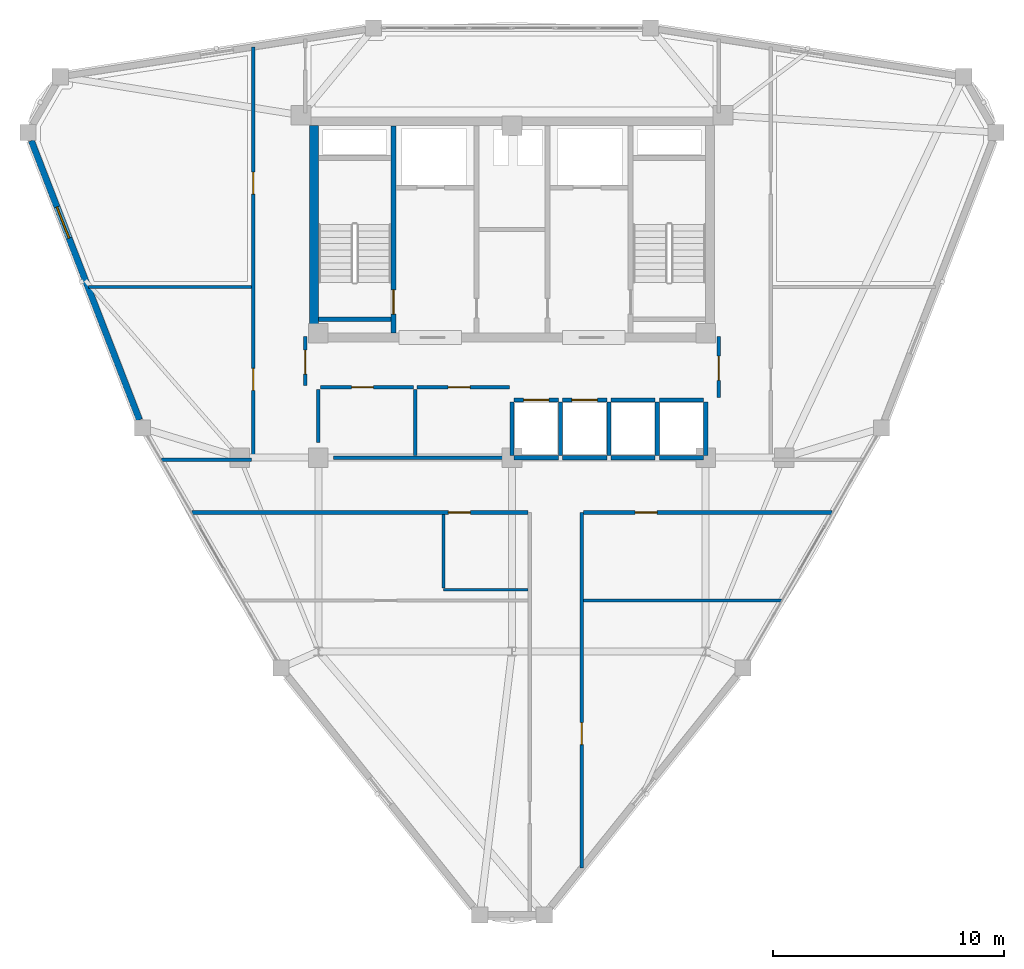
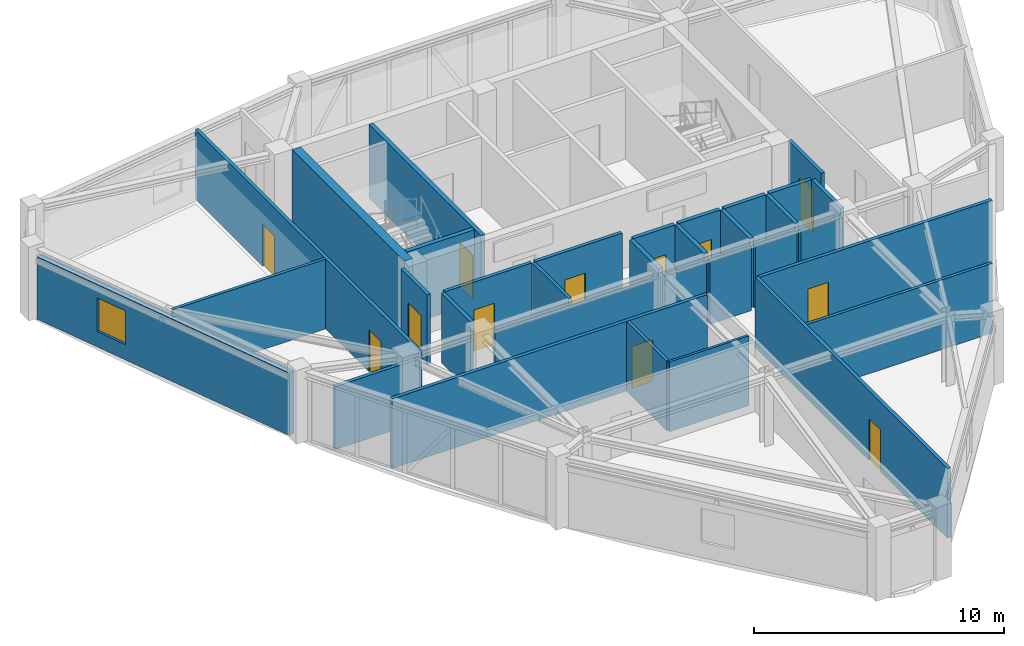
# One storey, part 11 of 15: 33 walls, 12 doors, 1 window, 13 openings.
"""IFC4 building model written with IfcOpenShell, lengths in metres."""

import ifcopenshell
import ifcopenshell.guid

model = None  # the IFC model being written
_history = None  # IfcOwnerHistory: only IFC2X3 demands one
_inside = {}  # id of a spatial element -> (the spatial element, [elements in it])
_under = {}  # id of a project, library or spatial element -> (it, [spatial elements below it])
_declared = {}  # id of a project -> (the project, [libraries it declares])
_typed = {}  # id of a type object -> (the type object, [elements of that type])
_made_of = {}  # id of a material, layer set ... -> (it, [elements and type objects made of it])


def new_model(schema):
    """Start an empty IFC model of exactly this schema.

    Asked for "IFC4X3", IfcOpenShell would pick the latest addendum, in which some entities
    have other attributes; the version numbers below select the first issue.
    IFC2X3 requires an IfcOwnerHistory on every rooted entity: one is made here for all.
    """
    global model, _history
    if schema == "IFC4X3":
        model = ifcopenshell.file(schema_version=(4, 3, 0, 0))
    else:
        model = ifcopenshell.file(schema=schema)
    _inside.clear()
    _under.clear()
    _declared.clear()
    _typed.clear()
    _made_of.clear()
    _history = None
    if model.schema == "IFC2X3":
        org = make("IfcOrganization", Name="unknown")
        user = make(
            "IfcPersonAndOrganization",
            ThePerson=make("IfcPerson", FamilyName="unknown"),
            TheOrganization=org,
        )
        app = make(
            "IfcApplication",
            ApplicationDeveloper=org,
            Version="unknown",
            ApplicationFullName="unknown",
            ApplicationIdentifier="unknown",
        )
        _history = make(
            "IfcOwnerHistory",
            OwningUser=user,
            OwningApplication=app,
            ChangeAction="ADDED",
            CreationDate=0,
        )
    return model


def make(cls, **values):
    """One entity of the class cls with the attributes given. An attribute that is None is left unset."""
    return model.create_entity(
        cls, **{name: value for name, value in values.items() if value is not None}
    )


def rooted(cls, **values):
    """An entity with a GlobalId (a new one), such as an element, a storey or a relation."""
    return make(cls, GlobalId=ifcopenshell.guid.new(), OwnerHistory=_history, **values)


def si_unit(unit_type, name, prefix=None):
    """IfcSIUnit, for example si_unit("LENGTHUNIT", "METRE", prefix="MILLI")."""
    return make("IfcSIUnit", UnitType=unit_type, Prefix=prefix, Name=name)


def derived_unit(unit_type, elements):
    """IfcDerivedUnit: a product of units, each with its exponent."""
    return make(
        "IfcDerivedUnit",
        Elements=[
            make("IfcDerivedUnitElement", Unit=unit, Exponent=power)
            for unit, power in elements
        ],
        UnitType=unit_type,
    )


def assignment(units):
    """IfcUnitAssignment: the units of a project."""
    return None if units is None else make("IfcUnitAssignment", Units=units)


def point(xyz):
    """IfcCartesianPoint."""
    return None if xyz is None else make("IfcCartesianPoint", Coordinates=xyz)


def direction(xyz):
    """IfcDirection."""
    return None if xyz is None else make("IfcDirection", DirectionRatios=xyz)


def frame(location, z_axis=None, x_axis=None):
    """IfcAxis2Placement3D, a coordinate frame: its origin and axes. An axis left out is left unset."""
    return make(
        "IfcAxis2Placement3D",
        Location=point(location),
        Axis=direction(z_axis),
        RefDirection=direction(x_axis),
    )


def frame_2d(location, x_axis=None):
    """IfcAxis2Placement2D, a coordinate frame in the plane: its origin and x axis."""
    return make(
        "IfcAxis2Placement2D", Location=point(location), RefDirection=direction(x_axis)
    )


def origin():
    """The frame at (0, 0, 0) with its axes left unset."""
    return frame((0.0, 0.0, 0.0))


def place(relative_to, where):
    """IfcLocalPlacement: puts the frame where relative to a parent placement (None: the world)."""
    return make(
        "IfcLocalPlacement", PlacementRelTo=relative_to, RelativePlacement=where
    )


def context(
    kind, dimensions, precision=None, world=None, true_north=None, identifier=None
):
    """IfcGeometricRepresentationContext, for example the 3D "Model" context."""
    return make(
        "IfcGeometricRepresentationContext",
        ContextIdentifier=identifier,
        ContextType=kind,
        CoordinateSpaceDimension=dimensions,
        Precision=precision,
        WorldCoordinateSystem=world,
        TrueNorth=true_north,
    )


def subcontext(parent, identifier, kind, view, scale=None):
    """IfcGeometricRepresentationSubContext, for example "Body" below "Model"."""
    return make(
        "IfcGeometricRepresentationSubContext",
        ContextIdentifier=identifier,
        ContextType=kind,
        ParentContext=parent,
        TargetScale=scale,
        TargetView=view,
    )


def project(units=None, contexts=None):
    """IfcProject with its units and contexts."""
    return rooted(
        "IfcProject",
        Name="project",
        RepresentationContexts=contexts,
        UnitsInContext=assignment(units),
    )


def spatial(cls, under=None, at=None, **own):
    """A site, building, storey or space (cls), placed at a placement, below another one or the project."""
    s = rooted(cls, ObjectPlacement=at, **own)
    if under is not None:
        _under.setdefault(under.id(), (under, []))[1].append(s)
    return s


def profile(cls, at=None, kind="AREA", **sizes):
    """A parametric profile (cls). Its sizes go by their IFC names, for example OverallWidth=200.0."""
    return make(cls, ProfileType=kind, Position=at, **sizes)


def rectangle(**sizes):
    """IfcRectangleProfileDef."""
    return profile("IfcRectangleProfileDef", **sizes)


def extrude(swept, where, along, depth):
    """IfcExtrudedAreaSolid: the profile swept, set in the frame where, extruded along a direction by depth."""
    return make(
        "IfcExtrudedAreaSolid",
        SweptArea=swept,
        Position=where,
        ExtrudedDirection=direction(along),
        Depth=depth,
    )


def shape(context_of_items, identifier, shape_type, items):
    """IfcShapeRepresentation: the items that make up one representation, for example the "Body"."""
    return make(
        "IfcShapeRepresentation",
        ContextOfItems=context_of_items,
        RepresentationIdentifier=identifier,
        RepresentationType=shape_type,
        Items=items,
    )


def material(Name=None, Category=None):
    """IfcMaterial."""
    return make("IfcMaterial", Name=Name, Category=Category)


def layer(
    of_material, thickness, ventilated=None, Name=None, Category=None, Priority=None
):
    """IfcMaterialLayer: one layer of a wall or slab, of a material (None: an air gap)."""
    return make(
        "IfcMaterialLayer",
        Material=of_material,
        LayerThickness=thickness,
        IsVentilated=ventilated,
        Name=Name,
        Category=Category,
        Priority=Priority,
    )


def layer_set(layers, Name=None):
    """IfcMaterialLayerSet."""
    return make("IfcMaterialLayerSet", MaterialLayers=layers, LayerSetName=Name)


def made_of(thing, what):
    """Note that an element or type object is made of a material, layer set ...; save() writes the relation."""
    if what is not None:
        _made_of.setdefault(what.id(), (what, []))[1].append(thing)
    return thing


def type_object(cls, material=None, **own):
    """A type object (cls), such as IfcWallType, which elements share."""
    return made_of(rooted(cls, **own), material)


def element(
    cls,
    number,
    at=None,
    inside=None,
    cuts=None,
    type_object=None,
    material=None,
    context=None,
    identifier="Body",
    shape_type=None,
    held_by="IfcProductDefinitionShape",
    body=None,
    shapes=None,
    **own,
):
    """One element of the class cls, such as IfcWall. Its Tag is "e" and its number.

    at: its placement. inside: the storey or other place that contains it. cuts: it is an
    opening in that element (IfcRelVoidsElement). A single representation is given by context,
    identifier, shape_type and body (its items); several are given by shapes. held_by: the class
    of the entity that holds the representations. save() writes the other relations.
    """
    e = rooted(cls, Tag="e%d" % number, ObjectPlacement=at, **own)
    if body is not None:
        shapes = [shape(context, identifier, shape_type, body)]
    if shapes is not None:
        e.Representation = make(held_by, Representations=shapes)
    if inside is not None:
        _inside.setdefault(inside.id(), (inside, []))[1].append(e)
    if cuts is not None:
        rooted(
            "IfcRelVoidsElement", RelatingBuildingElement=cuts, RelatedOpeningElement=e
        )
    if type_object is not None:
        _typed.setdefault(type_object.id(), (type_object, []))[1].append(e)
    return made_of(e, material)


def fill(opening, filler):
    """IfcRelFillsElement: the door or window that sits in an opening."""
    return rooted(
        "IfcRelFillsElement",
        RelatingOpeningElement=opening,
        RelatedBuildingElement=filler,
    )


def aggregate(whole, parts):
    """IfcRelAggregates: a whole, such as a stair, and the parts it consists of."""
    return rooted("IfcRelAggregates", RelatingObject=whole, RelatedObjects=parts)


def save(model, path):
    """Write the relations noted so far, then the file.

    IfcRelAggregates (storeys below a building ...), IfcRelContainedInSpatialStructure (elements
    in a storey), IfcRelDefinesByType, IfcRelAssociatesMaterial and IfcRelDeclares: one each for
    every whole, place, type object, material and project.
    """
    for whole, parts in _under.values():
        aggregate(whole, parts)
    for where, things in _inside.values():
        rooted(
            "IfcRelContainedInSpatialStructure",
            RelatedElements=things,
            RelatingStructure=where,
        )
    for kind, things in _typed.values():
        rooted("IfcRelDefinesByType", RelatedObjects=things, RelatingType=kind)
    for what, things in _made_of.values():
        rooted("IfcRelAssociatesMaterial", RelatedObjects=things, RelatingMaterial=what)
    for by, libraries in _declared.values():
        rooted("IfcRelDeclares", RelatingContext=by, RelatedDefinitions=libraries)
    model.write(path)


model = new_model("IFC4")

# Units and contexts
model_context = context("Model", 3, precision=1e-05, world=origin(), true_north=direction((0.0, 1.0)))
body_context = subcontext(model_context, "Body", "Model", "MODEL_VIEW")
ifc_project = project(units=[si_unit("LENGTHUNIT", "METRE"), si_unit("AREAUNIT", "SQUARE_METRE"), si_unit("VOLUMEUNIT", "CUBIC_METRE"), si_unit("PLANEANGLEUNIT", "RADIAN"), si_unit("MASSUNIT", "GRAM", prefix="KILO"), derived_unit("THERMALTRANSMITTANCEUNIT", [(si_unit("POWERUNIT", "WATT"), 1), (si_unit("LENGTHUNIT", "METRE"), -2), (si_unit("THERMODYNAMICTEMPERATUREUNIT", "KELVIN"), -1)])], contexts=[model_context])

# Site, building, storey
site_placement = place(None, origin())
site = spatial("IfcSite", under=ifc_project, at=site_placement, CompositionType="ELEMENT")
building_placement = place(site_placement, origin())
building = spatial("IfcBuilding", under=site, at=building_placement, Name="Korsvarv Bourse and Concert Hall", CompositionType="ELEMENT")
storey_placement = place(building_placement, frame((0.0, 0.0, 246.60009765625)))
storey = spatial("IfcBuildingStorey", under=building, at=storey_placement, Name="L64", CompositionType="ELEMENT", Elevation=246.60009765625)

# Wall
ifc_material_1 = material(Name="Concrete C50/60", Category="concrete")
ifc_layer_1 = layer(ifc_material_1, 0.3798828125)
ifc_layer_set_1 = layer_set([ifc_layer_1], Name="Concrete C50/60")
wall_type_1 = type_object("IfcWallType", Name="WL-CORE-380", PredefinedType="SHEAR", material=ifc_layer_set_1)
wall_1_placement = place(storey_placement, frame((27.409912109375, 37.800048828125, 0.0), z_axis=(0.0, 0.0, 1.0), x_axis=(0.0, 1.0, 0.0)))
element("IfcWall", 1, at=wall_1_placement, inside=storey, type_object=wall_type_1, Name="L64 West Core Shear Wall", PredefinedType="SHEAR", context=body_context, shape_type="SweptSolid", body=[
    extrude(rectangle(XDim=9.0, YDim=0.3798828125, at=frame_2d((4.5, 0.0))), origin(), (0.0, 0.0, 1.0), 3.599853515625),
])

# Wall, opening, door
wall_2_placement = place(storey_placement, frame((30.860107421875, 37.81005859375, 0.0), z_axis=(0.0, 0.0, 1.0), x_axis=(0.0, 1.0, 0.0)))
wall_2 = element("IfcWall", 2, at=wall_2_placement, inside=storey, type_object=wall_type_1, Name="L64 stair shaft structural wall W-L64-ST1-E", PredefinedType="SHEAR", context=body_context, shape_type="SweptSolid", body=[
    extrude(rectangle(XDim=8.97998046875, YDim=0.199951171875, at=frame_2d((4.489990234375, 0.0))), origin(), (0.0, 0.0, 1.0), 3.599853515625),
])
opening_1_placement = place(wall_2_placement, frame((0.820068359375, 0.0, 0.0)))
opening_1 = element("IfcOpeningElement", 3, at=opening_1_placement, cuts=wall_2, Name="Opening D-01", PredefinedType="OPENING", context=body_context, shape_type="SweptSolid", body=[
    extrude(rectangle(XDim=1.050048828125, YDim=2.10009765625, at=frame_2d((0.52490234375, 1.050048828125))), frame((0.0, 0.10986328125, 0.0), z_axis=(0.0, -1.0, 0.0), x_axis=(1.0, 0.0, 0.0)), (0.0, 0.0, 1.0), 0.219970703125),
])
ifc_material_2 = material(Name="Steel S355 fire door", Category="steel")
door_type_1 = type_object("IfcDoorType", Name="DR-FD60", OperationType="NOTDEFINED", PredefinedType="DOOR", material=ifc_material_2)
door_1_placement = place(opening_1_placement, origin())
door_1 = element("IfcDoor", 4, at=door_1_placement, inside=storey, type_object=door_type_1, Name="L64 interior door DR-L64-ST1", OperationType="SINGLE_SWING_RIGHT", OverallHeight=2.10009765625, OverallWidth=1.050048828125, PredefinedType="DOOR", context=body_context, shape_type="SweptSolid", body=[
    extrude(rectangle(XDim=1.050048828125, YDim=2.10009765625, at=frame_2d((0.52490234375, 1.050048828125))), frame((0.0, 0.02490234375, 0.0), z_axis=(0.0, -1.0, 0.0), x_axis=(1.0, 0.0, 0.0)), (0.0, 0.0, 1.0), 0.050048828125),
])
fill(opening_1, door_1)

# Wall
wall_3_placement = place(storey_placement, frame((27.610107421875, 38.39990234375, 0.0), z_axis=(0.0, 0.0, 1.0), x_axis=(1.0, 0.0, 0.0)))
element("IfcWall", 5, at=wall_3_placement, inside=storey, type_object=wall_type_1, Name="L64 stair shaft structural wall W-L64-ST1-S", PredefinedType="SHEAR", context=body_context, shape_type="SweptSolid", body=[
    extrude(rectangle(XDim=3.139892578125, YDim=0.199951171875, at=frame_2d((1.56982421875, 0.0))), origin(), (0.0, 0.0, 1.0), 3.599853515625),
])

# Wall, opening, window
ifc_material_3 = material(Name="Precast concrete C45/55 with fluted terracotta pier", Category="concrete")
ifc_layer_2 = layer(ifc_material_3, 0.280029296875)
ifc_layer_set_2 = layer_set([ifc_layer_2], Name="Precast concrete C45/55 with fluted terracotta pier")
wall_type_2 = type_object("IfcWallType", Name="WL-EXT-TC2", PredefinedType="SOLIDWALL", material=ifc_layer_set_2)
wall_4_placement = place(storey_placement, frame((15.149658203125, 46.148681640625, 0.0), z_axis=(0.0, 0.0, 1.0), x_axis=(0.361269378379, -0.93246149317, 0.0)))
wall_4 = element("IfcWall", 6, at=wall_4_placement, inside=storey, type_object=wall_type_2, Name="L64 terracotta exterior wall EW-L64-B06", PredefinedType="SOLIDWALL", context=body_context, shape_type="SweptSolid", body=[
    extrude(rectangle(XDim=12.9873046875, YDim=0.280029296875, at=frame_2d((6.49365234375, 0.0))), origin(), (0.0, 0.0, 1.0), 3.0498046875),
])
opening_2_placement = place(wall_4_placement, frame((3.084228515625, 0.0, 0.75)))
opening_2 = element("IfcOpeningElement", 7, at=opening_2_placement, cuts=wall_4, Name="Opening W-02", PredefinedType="OPENING", context=body_context, shape_type="SweptSolid", body=[
    extrude(rectangle(XDim=1.449951171875, YDim=1.64990234375, at=frame_2d((0.72509765625, 0.824951171875))), frame((0.0, 0.14990234375, 0.0), z_axis=(0.0, -1.0, 0.0), x_axis=(1.0, 0.0, 0.0)), (0.0, 0.0, 1.0), 0.300048828125),
])
ifc_material_4 = material(Name="Thermally broken aluminium frame with triple low-E glass", Category="glass")
window_type = type_object("IfcWindowType", Name="WIN-TW2", PartitioningType="SINGLE_PANEL", PredefinedType="WINDOW", material=ifc_material_4)
window_placement = place(opening_2_placement, origin())
window = element("IfcWindow", 8, at=window_placement, inside=storey, type_object=window_type, Name="L64 punched facade window W-02", OverallHeight=1.64990234375, OverallWidth=1.449951171875, PartitioningType="SINGLE_PANEL", PredefinedType="WINDOW", context=body_context, shape_type="SweptSolid", body=[
    extrude(rectangle(XDim=1.449951171875, YDim=1.64990234375, at=frame_2d((0.72509765625, 0.824951171875))), frame((0.0, 0.030029296875, 0.0), z_axis=(0.0, -1.0, 0.0), x_axis=(1.0, 0.0, 0.0)), (0.0, 0.0, 1.0), 0.06005859375),
])
fill(opening_2, window)

# Walls
ifc_material_5 = material(Name="Double-stud fire-rated acoustic partition", Category="gypsum")
ifc_layer_3 = layer(ifc_material_5, 0.159912109375)
ifc_layer_set_3 = layer_set([ifc_layer_3], Name="Double-stud fire-rated acoustic partition")
wall_type_3 = type_object("IfcWallType", Name="WL-INT-EI60", PredefinedType="PARTITIONING", material=ifc_layer_set_3)
wall_5_placement = place(storey_placement, frame((28.25, 32.39990234375, 0.0), z_axis=(0.0, 0.0, 1.0), x_axis=(1.0, 0.0, 0.0)))
element("IfcWall", 9, at=wall_5_placement, inside=storey, type_object=wall_type_3, Name="L64 interior partition wall W-L64-FRD-S", PredefinedType="PARTITIONING", context=body_context, shape_type="SweptSolid", body=[
    extrude(rectangle(XDim=7.64990234375, YDim=0.159912109375, at=frame_2d((3.824951171875, 0.0))), origin(), (0.0, 0.0, 1.0), 3.079833984375),
])
wall_6_placement = place(storey_placement, frame((27.60009765625, 33.050048828125, 0.0), z_axis=(0.0, 0.0, 1.0), x_axis=(0.0, 1.0, 0.0)))
element("IfcWall", 10, at=wall_6_placement, inside=storey, type_object=wall_type_3, Name="L64 interior partition wall W-L64-FRD-W", PredefinedType="PARTITIONING", context=body_context, shape_type="SweptSolid", body=[
    extrude(rectangle(XDim=2.31005859375, YDim=0.159912109375, at=frame_2d((1.155029296875, 0.0))), origin(), (0.0, 0.0, 1.0), 3.409912109375),
])

# Wall, opening, door
wall_7_placement = place(storey_placement, frame((27.68994140625, 35.449951171875, 0.0), z_axis=(0.0, 0.0, 1.0), x_axis=(1.0, 0.0, 0.0)))
wall_7 = element("IfcWall", 11, at=wall_7_placement, inside=storey, type_object=wall_type_3, Name="L64 interior partition wall W-L64-FRD-N1", PredefinedType="PARTITIONING", context=body_context, shape_type="SweptSolid", body=[
    extrude(rectangle(XDim=4.030029296875, YDim=0.159912109375, at=frame_2d((2.01513671875, 0.0))), origin(), (0.0, 0.0, 1.0), 3.409912109375),
])
opening_3_placement = place(wall_7_placement, frame((1.35009765625, 0.0, 0.0)))
opening_3 = element("IfcOpeningElement", 12, at=opening_3_placement, cuts=wall_7, Name="Opening D-03", PredefinedType="OPENING", context=body_context, shape_type="SweptSolid", body=[
    extrude(rectangle(XDim=0.949951171875, YDim=2.050048828125, at=frame_2d((0.47509765625, 1.02490234375))), frame((0.0, 0.08984375, 0.0), z_axis=(0.0, -1.0, 0.0), x_axis=(1.0, 0.0, 0.0)), (0.0, 0.0, 1.0), 0.179931640625),
])
ifc_material_6 = material(Name="Nordic oak acoustic office door", Category="wood")
door_type_2 = type_object("IfcDoorType", Name="DR-INT-1", OperationType="NOTDEFINED", PredefinedType="DOOR", material=ifc_material_6)
door_2_placement = place(opening_3_placement, origin())
door_2 = element("IfcDoor", 13, at=door_2_placement, inside=storey, type_object=door_type_2, Name="L64 interior door DR-L64-FRDN1", OperationType="SINGLE_SWING_RIGHT", OverallHeight=2.050048828125, OverallWidth=0.949951171875, PredefinedType="DOOR", context=body_context, shape_type="SweptSolid", body=[
    extrude(rectangle(XDim=0.949951171875, YDim=2.050048828125, at=frame_2d((0.47509765625, 1.02490234375))), frame((0.0, 0.02490234375, 0.0), z_axis=(0.0, -1.0, 0.0), x_axis=(1.0, 0.0, 0.0)), (0.0, 0.0, 1.0), 0.050048828125),
])
fill(opening_3, door_2)

wall_8_placement = place(storey_placement, frame((31.8798828125, 35.449951171875, 0.0), z_axis=(0.0, 0.0, 1.0), x_axis=(1.0, 0.0, 0.0)))
wall_8 = element("IfcWall", 14, at=wall_8_placement, inside=storey, type_object=wall_type_3, Name="L64 interior partition wall W-L64-FRD-N2", PredefinedType="PARTITIONING", context=body_context, shape_type="SweptSolid", body=[
    extrude(rectangle(XDim=4.02001953125, YDim=0.159912109375, at=frame_2d((2.010009765625, 0.0))), origin(), (0.0, 0.0, 1.0), 3.409912109375),
])
opening_4_placement = place(wall_8_placement, frame((1.35009765625, 0.0, 0.0)))
opening_4 = element("IfcOpeningElement", 15, at=opening_4_placement, cuts=wall_8, Name="Opening D-03", PredefinedType="OPENING", context=body_context, shape_type="SweptSolid", body=[
    extrude(rectangle(XDim=0.949951171875, YDim=2.050048828125, at=frame_2d((0.47509765625, 1.02490234375))), frame((0.0, 0.08984375, 0.0), z_axis=(0.0, -1.0, 0.0), x_axis=(1.0, 0.0, 0.0)), (0.0, 0.0, 1.0), 0.179931640625),
])
door_3_placement = place(opening_4_placement, origin())
door_3 = element("IfcDoor", 16, at=door_3_placement, inside=storey, type_object=door_type_2, Name="L64 interior door DR-L64-FRDN2", OperationType="SINGLE_SWING_LEFT", OverallHeight=2.050048828125, OverallWidth=0.949951171875, PredefinedType="DOOR", context=body_context, shape_type="SweptSolid", body=[
    extrude(rectangle(XDim=0.949951171875, YDim=2.050048828125, at=frame_2d((0.47509765625, 1.02490234375))), frame((0.0, 0.02490234375, 0.0), z_axis=(0.0, -1.0, 0.0), x_axis=(1.0, 0.0, 0.0)), (0.0, 0.0, 1.0), 0.050048828125),
])
fill(opening_4, door_3)

wall_9_placement = place(storey_placement, frame((27.0400390625, 35.5400390625, 0.0), z_axis=(0.0, 0.0, 1.0), x_axis=(0.0, 1.0, 0.0)))
wall_9 = element("IfcWall", 17, at=wall_9_placement, inside=storey, type_object=wall_type_3, Name="L64 interior partition wall W-L64-LOB-WL", PredefinedType="PARTITIONING", context=body_context, shape_type="SweptSolid", body=[
    extrude(rectangle(XDim=2.10986328125, YDim=0.159912109375, at=frame_2d((1.054931640625, 0.0))), origin(), (0.0, 0.0, 1.0), 3.409912109375),
])
opening_5_placement = place(wall_9_placement, frame((0.47998046875, 0.0, 0.0)))
opening_5 = element("IfcOpeningElement", 18, at=opening_5_placement, cuts=wall_9, Name="Opening D-01", PredefinedType="OPENING", context=body_context, shape_type="SweptSolid", body=[
    extrude(rectangle(XDim=1.050048828125, YDim=2.10009765625, at=frame_2d((0.52490234375, 1.050048828125))), frame((0.0, 0.08984375, 0.0), z_axis=(0.0, -1.0, 0.0), x_axis=(1.0, 0.0, 0.0)), (0.0, 0.0, 1.0), 0.179931640625),
])
door_4_placement = place(opening_5_placement, frame((1.050048828125, 0.0, 0.0), z_axis=(0.0, 0.0, 1.0), x_axis=(-1.0, 0.0, 0.0)))
door_4 = element("IfcDoor", 19, at=door_4_placement, inside=storey, type_object=door_type_1, Name="L64 interior door DR-L64-LOBW", OperationType="SINGLE_SWING_RIGHT", OverallHeight=2.10009765625, OverallWidth=1.050048828125, PredefinedType="DOOR", context=body_context, shape_type="SweptSolid", body=[
    extrude(rectangle(XDim=1.050048828125, YDim=2.10009765625, at=frame_2d((0.52490234375, 1.050048828125))), frame((0.0, 0.02490234375, 0.0), z_axis=(0.0, -1.0, 0.0), x_axis=(1.0, 0.0, 0.0)), (0.0, 0.0, 1.0), 0.050048828125),
])
fill(opening_5, door_4)

wall_10_placement = place(storey_placement, frame((44.9599609375, 35.0, 0.0), z_axis=(0.0, 0.0, 1.0), x_axis=(0.0, 1.0, 0.0)))
wall_10 = element("IfcWall", 20, at=wall_10_placement, inside=storey, type_object=wall_type_3, Name="L64 interior partition wall W-L64-LOB-E", PredefinedType="PARTITIONING", context=body_context, shape_type="SweptSolid", body=[
    extrude(rectangle(XDim=2.64990234375, YDim=0.159912109375, at=frame_2d((1.324951171875, 0.0))), origin(), (0.0, 0.0, 1.0), 3.409912109375),
])
opening_6_placement = place(wall_10_placement, frame((0.75, 0.0, 0.0)))
opening_6 = element("IfcOpeningElement", 21, at=opening_6_placement, cuts=wall_10, Name="Opening D-01", PredefinedType="OPENING", context=body_context, shape_type="SweptSolid", body=[
    extrude(rectangle(XDim=1.050048828125, YDim=2.10009765625, at=frame_2d((0.52490234375, 1.050048828125))), frame((0.0, 0.08984375, 0.0), z_axis=(0.0, -1.0, 0.0), x_axis=(1.0, 0.0, 0.0)), (0.0, 0.0, 1.0), 0.179931640625),
])
door_5_placement = place(opening_6_placement, origin())
door_5 = element("IfcDoor", 22, at=door_5_placement, inside=storey, type_object=door_type_1, Name="L64 interior door DR-L64-LOBE", OperationType="SINGLE_SWING_LEFT", OverallHeight=2.10009765625, OverallWidth=1.050048828125, PredefinedType="DOOR", context=body_context, shape_type="SweptSolid", body=[
    extrude(rectangle(XDim=1.050048828125, YDim=2.10009765625, at=frame_2d((0.52490234375, 1.050048828125))), frame((0.0, 0.02490234375, 0.0), z_axis=(0.0, -1.0, 0.0), x_axis=(1.0, 0.0, 0.0)), (0.0, 0.0, 1.0), 0.050048828125),
])
fill(opening_6, door_5)

# Wall, openings, doors
wall_11_placement = place(storey_placement, frame((24.77490234375, 32.31005859375, 0.0), z_axis=(0.0, 0.0, 1.0), x_axis=(0.0, 1.0, 0.0)))
wall_11 = element("IfcWall", 23, at=wall_11_placement, inside=storey, type_object=wall_type_3, Name="L64 interior partition wall W-L64-TCOR-02", PredefinedType="PARTITIONING", context=body_context, shape_type="SweptSolid", body=[
    extrude(rectangle(XDim=17.892333984375, YDim=0.159912109375, at=frame_2d((8.9462890625, 0.0))), origin(), (0.0, 0.0, 1.0), 3.409912109375),
])
opening_7_placement = place(wall_11_placement, frame((3.01416015625, 0.0, 0.0)))
opening_7 = element("IfcOpeningElement", 24, at=opening_7_placement, cuts=wall_11, Name="Opening D-02", PredefinedType="OPENING", context=body_context, shape_type="SweptSolid", body=[
    extrude(rectangle(XDim=0.949951171875, YDim=2.050048828125, at=frame_2d((0.47509765625, 1.02490234375))), frame((0.0, 0.08984375, 0.0), z_axis=(0.0, -1.0, 0.0), x_axis=(1.0, 0.0, 0.0)), (0.0, 0.0, 1.0), 0.179931640625),
])
opening_8_placement = place(wall_11_placement, frame((11.52392578125, 0.0, 0.0)))
opening_8 = element("IfcOpeningElement", 25, at=opening_8_placement, cuts=wall_11, Name="Opening D-02", PredefinedType="OPENING", context=body_context, shape_type="SweptSolid", body=[
    extrude(rectangle(XDim=0.949951171875, YDim=2.050048828125, at=frame_2d((0.47509765625, 1.02490234375))), frame((0.0, 0.08984375, 0.0), z_axis=(0.0, -1.0, 0.0), x_axis=(1.0, 0.0, 0.0)), (0.0, 0.0, 1.0), 0.179931640625),
])
ifc_material_7 = material(Name="Timber and steel acoustic fire door", Category="wood")
door_type_3 = type_object("IfcDoorType", Name="DR-FD30", OperationType="NOTDEFINED", PredefinedType="DOOR", material=ifc_material_7)
door_6_placement = place(opening_7_placement, origin())
door_6 = element("IfcDoor", 26, at=door_6_placement, inside=storey, type_object=door_type_3, Name="L64 interior door DR-L64-TCOR-GB18", OperationType="SINGLE_SWING_RIGHT", OverallHeight=2.050048828125, OverallWidth=0.949951171875, PredefinedType="DOOR", context=body_context, shape_type="SweptSolid", body=[
    extrude(rectangle(XDim=0.949951171875, YDim=2.050048828125, at=frame_2d((0.47509765625, 1.02490234375))), frame((0.0, 0.02490234375, 0.0), z_axis=(0.0, -1.0, 0.0), x_axis=(1.0, 0.0, 0.0)), (0.0, 0.0, 1.0), 0.050048828125),
])
fill(opening_7, door_6)
door_7_placement = place(opening_8_placement, origin())
door_7 = element("IfcDoor", 27, at=door_7_placement, inside=storey, type_object=door_type_3, Name="L64 interior door DR-L64-TCOR-GB29", OperationType="SINGLE_SWING_LEFT", OverallHeight=2.050048828125, OverallWidth=0.949951171875, PredefinedType="DOOR", context=body_context, shape_type="SweptSolid", body=[
    extrude(rectangle(XDim=0.949951171875, YDim=2.050048828125, at=frame_2d((0.47509765625, 1.02490234375))), frame((0.0, 0.02490234375, 0.0), z_axis=(0.0, -1.0, 0.0), x_axis=(1.0, 0.0, 0.0)), (0.0, 0.0, 1.0), 0.050048828125),
])
fill(opening_8, door_7)

# Wall, opening, door
wall_12_placement = place(storey_placement, frame((39.02490234375, 14.614990234375, 0.0), z_axis=(0.0, 0.0, 1.0), x_axis=(0.0, 1.0, 0.0)))
wall_12 = element("IfcWall", 28, at=wall_12_placement, inside=storey, type_object=wall_type_3, Name="L64 interior partition wall W-L64-TCOR-04", PredefinedType="PARTITIONING", context=body_context, shape_type="SweptSolid", body=[
    extrude(rectangle(XDim=15.4150390625, YDim=0.159912109375, at=frame_2d((7.70751953125, 0.0))), origin(), (0.0, 0.0, 1.0), 3.409912109375),
])
opening_9_placement = place(wall_12_placement, frame((5.3408203125, 0.0, 0.0)))
opening_9 = element("IfcOpeningElement", 29, at=opening_9_placement, cuts=wall_12, Name="Opening D-02", PredefinedType="OPENING", context=body_context, shape_type="SweptSolid", body=[
    extrude(rectangle(XDim=0.949951171875, YDim=2.050048828125, at=frame_2d((0.47509765625, 1.02490234375))), frame((0.0, 0.08984375, 0.0), z_axis=(0.0, -1.0, 0.0), x_axis=(1.0, 0.0, 0.0)), (0.0, 0.0, 1.0), 0.179931640625),
])
door_8_placement = place(opening_9_placement, origin())
door_8 = element("IfcDoor", 30, at=door_8_placement, inside=storey, type_object=door_type_3, Name="L64 interior door DR-L64-TCOR-GSE3", OperationType="SINGLE_SWING_LEFT", OverallHeight=2.050048828125, OverallWidth=0.949951171875, PredefinedType="DOOR", context=body_context, shape_type="SweptSolid", body=[
    extrude(rectangle(XDim=0.949951171875, YDim=2.050048828125, at=frame_2d((0.47509765625, 1.02490234375))), frame((0.0, 0.02490234375, 0.0), z_axis=(0.0, -1.0, 0.0), x_axis=(1.0, 0.0, 0.0)), (0.0, 0.0, 1.0), 0.050048828125),
])
fill(opening_9, door_8)

wall_13_placement = place(storey_placement, frame((22.111328125, 30.02490234375, 0.0), z_axis=(0.0, 0.0, 1.0), x_axis=(1.0, 0.0, 0.0)))
wall_13 = element("IfcWall", 31, at=wall_13_placement, inside=storey, type_object=wall_type_3, Name="L64 interior partition wall W-L64-TCOR-05", PredefinedType="PARTITIONING", context=body_context, shape_type="SweptSolid", body=[
    extrude(rectangle(XDim=14.581787109375, YDim=0.159912109375, at=frame_2d((7.291015625, 0.0))), origin(), (0.0, 0.0, 1.0), 3.409912109375),
])
opening_10_placement = place(wall_13_placement, frame((11.128662109375, 0.0, 0.0)))
opening_10 = element("IfcOpeningElement", 32, at=opening_10_placement, cuts=wall_13, Name="Opening D-02", PredefinedType="OPENING", context=body_context, shape_type="SweptSolid", body=[
    extrude(rectangle(XDim=0.949951171875, YDim=2.050048828125, at=frame_2d((0.47509765625, 1.02490234375))), frame((0.0, 0.08984375, 0.0), z_axis=(0.0, -1.0, 0.0), x_axis=(1.0, 0.0, 0.0)), (0.0, 0.0, 1.0), 0.179931640625),
])
door_9_placement = place(opening_10_placement, origin())
door_9 = element("IfcDoor", 33, at=door_9_placement, inside=storey, type_object=door_type_3, Name="L64 interior door DR-L64-TCOR-RWC", OperationType="SINGLE_SWING_RIGHT", OverallHeight=2.050048828125, OverallWidth=0.949951171875, PredefinedType="DOOR", context=body_context, shape_type="SweptSolid", body=[
    extrude(rectangle(XDim=0.949951171875, YDim=2.050048828125, at=frame_2d((0.47509765625, 1.02490234375))), frame((0.0, 0.02490234375, 0.0), z_axis=(0.0, -1.0, 0.0), x_axis=(1.0, 0.0, 0.0)), (0.0, 0.0, 1.0), 0.050048828125),
])
fill(opening_10, door_9)

wall_14_placement = place(storey_placement, frame((39.10693359375, 30.02490234375, 0.0), z_axis=(0.0, 0.0, 1.0), x_axis=(1.0, 0.0, 0.0)))
wall_14 = element("IfcWall", 34, at=wall_14_placement, inside=storey, type_object=wall_type_3, Name="L64 interior partition wall W-L64-TCOR-06", PredefinedType="PARTITIONING", context=body_context, shape_type="SweptSolid", body=[
    extrude(rectangle(XDim=10.78173828125, YDim=0.159912109375, at=frame_2d((5.390869140625, 0.0))), origin(), (0.0, 0.0, 1.0), 3.409912109375),
])
opening_11_placement = place(wall_14_placement, frame((2.23779296875, 0.0, 0.0)))
opening_11 = element("IfcOpeningElement", 35, at=opening_11_placement, cuts=wall_14, Name="Opening D-02", PredefinedType="OPENING", context=body_context, shape_type="SweptSolid", body=[
    extrude(rectangle(XDim=0.949951171875, YDim=2.050048828125, at=frame_2d((0.47509765625, 1.02490234375))), frame((0.0, 0.08984375, 0.0), z_axis=(0.0, -1.0, 0.0), x_axis=(1.0, 0.0, 0.0)), (0.0, 0.0, 1.0), 0.179931640625),
])
door_10_placement = place(opening_11_placement, origin())
door_10 = element("IfcDoor", 36, at=door_10_placement, inside=storey, type_object=door_type_3, Name="L64 interior door DR-L64-TCOR-GDN4", OperationType="SINGLE_SWING_LEFT", OverallHeight=2.050048828125, OverallWidth=0.949951171875, PredefinedType="DOOR", context=body_context, shape_type="SweptSolid", body=[
    extrude(rectangle(XDim=0.949951171875, YDim=2.050048828125, at=frame_2d((0.47509765625, 1.02490234375))), frame((0.0, 0.02490234375, 0.0), z_axis=(0.0, -1.0, 0.0), x_axis=(1.0, 0.0, 0.0)), (0.0, 0.0, 1.0), 0.050048828125),
])
fill(opening_11, door_10)

# Wall
wall_15_placement = place(storey_placement, frame((20.789306640625, 32.31494140625, 0.0), z_axis=(0.0, 0.0, 1.0), x_axis=(1.0, 0.0, 0.0)))
element("IfcWall", 37, at=wall_15_placement, inside=storey, type_object=wall_type_3, Name="L64 interior partition wall W-L64-TCOR-07", PredefinedType="PARTITIONING", context=body_context, shape_type="SweptSolid", body=[
    extrude(rectangle(XDim=3.90380859375, YDim=0.159912109375, at=frame_2d((1.951904296875, 0.0))), origin(), (0.0, 0.0, 1.0), 3.079833984375),
])

# Wall, opening, door
ifc_material_8 = material(Name="Gypsum-clad autoclaved concrete shaft wall C30/37", Category="concrete")
ifc_layer_4 = layer(ifc_material_8, 0.179931640625)
ifc_layer_set_4 = layer_set([ifc_layer_4], Name="Gypsum-clad autoclaved concrete shaft wall C30/37")
wall_type_4 = type_object("IfcWallType", Name="WL-INT-EI90", PredefinedType="PARTITIONING", material=ifc_layer_set_4)
wall_16_placement = place(storey_placement, frame((36.090087890625, 34.89990234375, 0.0), z_axis=(0.0, 0.0, 1.0), x_axis=(1.0, 0.0, 0.0)))
wall_16 = element("IfcWall", 38, at=wall_16_placement, inside=storey, type_object=wall_type_4, Name="L64 interior partition wall W-L64-SHFN-PH1", PredefinedType="PARTITIONING", context=body_context, shape_type="SweptSolid", body=[
    extrude(rectangle(XDim=1.919921875, YDim=0.179931640625, at=frame_2d((0.9599609375, 0.0))), origin(), (0.0, 0.0, 1.0), 3.409912109375),
])
opening_12_placement = place(wall_16_placement, frame((0.409912109375, 0.0, 0.0)))
opening_12 = element("IfcOpeningElement", 39, at=opening_12_placement, cuts=wall_16, Name="Opening LD-2", PredefinedType="OPENING", context=body_context, shape_type="SweptSolid", body=[
    extrude(rectangle(XDim=1.10009765625, YDim=2.10009765625, at=frame_2d((0.550048828125, 1.050048828125))), frame((0.0, 0.10009765625, 0.0), z_axis=(0.0, -1.0, 0.0), x_axis=(1.0, 0.0, 0.0)), (0.0, 0.0, 1.0), 0.199951171875),
])
ifc_material_9 = material(Name="Brushed stainless Steel S355 lift landing door", Category="steel")
door_type_4 = type_object("IfcDoorType", Name="DR-LIFT-P", OperationType="DOUBLE_DOOR_SLIDING", PredefinedType="DOOR", material=ifc_material_9)
door_11_placement = place(opening_12_placement, origin())
door_11 = element("IfcDoor", 40, at=door_11_placement, inside=storey, type_object=door_type_4, Name="L64 lift sliding landing door LD-L64-PH1", OperationType="DOUBLE_DOOR_SLIDING", OverallHeight=2.10009765625, OverallWidth=1.10009765625, PredefinedType="DOOR", context=body_context, shape_type="SweptSolid", body=[
    extrude(rectangle(XDim=1.10009765625, YDim=2.10009765625, at=frame_2d((0.550048828125, 1.050048828125))), frame((0.0, 0.02490234375, 0.0), z_axis=(0.0, -1.0, 0.0), x_axis=(1.0, 0.0, 0.0)), (0.0, 0.0, 1.0), 0.050048828125),
])
fill(opening_12, door_11)

# Walls
wall_17_placement = place(storey_placement, frame((36.090087890625, 32.39990234375, 0.0), z_axis=(0.0, 0.0, 1.0), x_axis=(1.0, 0.0, 0.0)))
element("IfcWall", 41, at=wall_17_placement, inside=storey, type_object=wall_type_4, Name="L64 interior partition wall W-L64-SHFS-PH1", PredefinedType="PARTITIONING", context=body_context, shape_type="SweptSolid", body=[
    extrude(rectangle(XDim=1.919921875, YDim=0.179931640625, at=frame_2d((0.9599609375, 0.0))), origin(), (0.0, 0.0, 1.0), 3.079833984375),
])
wall_18_placement = place(storey_placement, frame((36.0, 32.489990234375, 0.0), z_axis=(0.0, 0.0, 1.0), x_axis=(0.0, 1.0, 0.0)))
element("IfcWall", 42, at=wall_18_placement, inside=storey, type_object=wall_type_4, Name="L64 interior partition wall W-L64-SHFW-PH1", PredefinedType="PARTITIONING", context=body_context, shape_type="SweptSolid", body=[
    extrude(rectangle(XDim=2.320068359375, YDim=0.179931640625, at=frame_2d((1.16015625, 0.0))), origin(), (0.0, 0.0, 1.0), 3.409912109375),
])

# Wall, opening, door
wall_19_placement = place(storey_placement, frame((38.18994140625, 34.89990234375, 0.0), z_axis=(0.0, 0.0, 1.0), x_axis=(1.0, 0.0, 0.0)))
wall_19 = element("IfcWall", 43, at=wall_19_placement, inside=storey, type_object=wall_type_4, Name="L64 interior partition wall W-L64-SHFN-PH2", PredefinedType="PARTITIONING", context=body_context, shape_type="SweptSolid", body=[
    extrude(rectangle(XDim=1.920166015625, YDim=0.179931640625, at=frame_2d((0.9599609375, 0.0))), origin(), (0.0, 0.0, 1.0), 3.409912109375),
])
opening_13_placement = place(wall_19_placement, frame((0.409912109375, 0.0, 0.0)))
opening_13 = element("IfcOpeningElement", 44, at=opening_13_placement, cuts=wall_19, Name="Opening LD-2", PredefinedType="OPENING", context=body_context, shape_type="SweptSolid", body=[
    extrude(rectangle(XDim=1.10009765625, YDim=2.10009765625, at=frame_2d((0.550048828125, 1.050048828125))), frame((0.0, 0.10009765625, 0.0), z_axis=(0.0, -1.0, 0.0), x_axis=(1.0, 0.0, 0.0)), (0.0, 0.0, 1.0), 0.199951171875),
])
door_12_placement = place(opening_13_placement, origin())
door_12 = element("IfcDoor", 45, at=door_12_placement, inside=storey, type_object=door_type_4, Name="L64 lift sliding landing door LD-L64-PH2", OperationType="DOUBLE_DOOR_SLIDING", OverallHeight=2.10009765625, OverallWidth=1.10009765625, PredefinedType="DOOR", context=body_context, shape_type="SweptSolid", body=[
    extrude(rectangle(XDim=1.10009765625, YDim=2.10009765625, at=frame_2d((0.550048828125, 1.050048828125))), frame((0.0, 0.02490234375, 0.0), z_axis=(0.0, -1.0, 0.0), x_axis=(1.0, 0.0, 0.0)), (0.0, 0.0, 1.0), 0.050048828125),
])
fill(opening_13, door_12)

# Walls
wall_20_placement = place(storey_placement, frame((38.18994140625, 32.39990234375, 0.0), z_axis=(0.0, 0.0, 1.0), x_axis=(1.0, 0.0, 0.0)))
element("IfcWall", 46, at=wall_20_placement, inside=storey, type_object=wall_type_4, Name="L64 interior partition wall W-L64-SHFS-PH2", PredefinedType="PARTITIONING", context=body_context, shape_type="SweptSolid", body=[
    extrude(rectangle(XDim=1.920166015625, YDim=0.179931640625, at=frame_2d((0.9599609375, 0.0))), origin(), (0.0, 0.0, 1.0), 3.079833984375),
])
wall_21_placement = place(storey_placement, frame((38.10009765625, 32.489990234375, 0.0), z_axis=(0.0, 0.0, 1.0), x_axis=(0.0, 1.0, 0.0)))
element("IfcWall", 47, at=wall_21_placement, inside=storey, type_object=wall_type_4, Name="L64 interior partition wall W-L64-SHFW-PH2", PredefinedType="PARTITIONING", context=body_context, shape_type="SweptSolid", body=[
    extrude(rectangle(XDim=2.320068359375, YDim=0.179931640625, at=frame_2d((1.16015625, 0.0))), origin(), (0.0, 0.0, 1.0), 3.409912109375),
])
wall_22_placement = place(storey_placement, frame((40.2900390625, 34.89990234375, 0.0), z_axis=(0.0, 0.0, 1.0), x_axis=(1.0, 0.0, 0.0)))
element("IfcWall", 48, at=wall_22_placement, inside=storey, type_object=wall_type_4, Name="L64 interior partition wall W-L64-SHFN-PO1", PredefinedType="PARTITIONING", context=body_context, shape_type="SweptSolid", body=[
    extrude(rectangle(XDim=1.919921875, YDim=0.179931640625, at=frame_2d((0.9599609375, 0.0))), origin(), (0.0, 0.0, 1.0), 3.409912109375),
])
wall_23_placement = place(storey_placement, frame((40.2900390625, 32.39990234375, 0.0), z_axis=(0.0, 0.0, 1.0), x_axis=(1.0, 0.0, 0.0)))
element("IfcWall", 49, at=wall_23_placement, inside=storey, type_object=wall_type_4, Name="L64 interior partition wall W-L64-SHFS-PO1", PredefinedType="PARTITIONING", context=body_context, shape_type="SweptSolid", body=[
    extrude(rectangle(XDim=1.919921875, YDim=0.179931640625, at=frame_2d((0.9599609375, 0.0))), origin(), (0.0, 0.0, 1.0), 3.079833984375),
])
wall_24_placement = place(storey_placement, frame((40.199951171875, 32.489990234375, 0.0), z_axis=(0.0, 0.0, 1.0), x_axis=(0.0, 1.0, 0.0)))
element("IfcWall", 50, at=wall_24_placement, inside=storey, type_object=wall_type_4, Name="L64 interior partition wall W-L64-SHFW-PO1", PredefinedType="PARTITIONING", context=body_context, shape_type="SweptSolid", body=[
    extrude(rectangle(XDim=2.320068359375, YDim=0.179931640625, at=frame_2d((1.16015625, 0.0))), origin(), (0.0, 0.0, 1.0), 3.409912109375),
])
wall_25_placement = place(storey_placement, frame((42.389892578125, 34.89990234375, 0.0), z_axis=(0.0, 0.0, 1.0), x_axis=(1.0, 0.0, 0.0)))
element("IfcWall", 51, at=wall_25_placement, inside=storey, type_object=wall_type_4, Name="L64 interior partition wall W-L64-SHFN-PO2", PredefinedType="PARTITIONING", context=body_context, shape_type="SweptSolid", body=[
    extrude(rectangle(XDim=1.920166015625, YDim=0.179931640625, at=frame_2d((0.9599609375, 0.0))), origin(), (0.0, 0.0, 1.0), 3.409912109375),
])
wall_26_placement = place(storey_placement, frame((42.389892578125, 32.39990234375, 0.0), z_axis=(0.0, 0.0, 1.0), x_axis=(1.0, 0.0, 0.0)))
element("IfcWall", 52, at=wall_26_placement, inside=storey, type_object=wall_type_4, Name="L64 interior partition wall W-L64-SHFS-PO2", PredefinedType="PARTITIONING", context=body_context, shape_type="SweptSolid", body=[
    extrude(rectangle(XDim=1.920166015625, YDim=0.179931640625, at=frame_2d((0.9599609375, 0.0))), origin(), (0.0, 0.0, 1.0), 3.079833984375),
])
for number, where, z_axis, x_axis, name in (
    (53, (42.300048828125, 32.489990234375, 0.0), (0.0, 0.0, 1.0), (0.0, 1.0, 0.0), "L64 interior partition wall W-L64-SHFW-PO2"),
    (54, (44.39990234375, 32.489990234375, 0.0), (0.0, 0.0, 1.0), (0.0, 1.0, 0.0), "L64 interior partition wall W-L64-SHFE-END"),
):
    element("IfcWall", number, at=place(storey_placement, frame(where, z_axis=z_axis, x_axis=x_axis)), inside=storey, type_object=wall_type_4, Name=name, PredefinedType="PARTITIONING", context=body_context, shape_type="SweptSolid", body=[
        extrude(rectangle(XDim=2.320068359375, YDim=0.179931640625, at=frame_2d((1.16015625, 0.0))), origin(), (0.0, 0.0, 1.0), 3.409912109375),
    ])
ifc_material_10 = material(Name="Demountable acoustic glass and aluminium dealing partition", Category="aluminium")
ifc_layer_5 = layer(ifc_material_10, 0.110107421875)
ifc_layer_set_5 = layer_set([ifc_layer_5], Name="Demountable acoustic glass and aluminium dealing partition")
wall_type_5 = type_object("IfcWallType", Name="WL-INT-MOV", PredefinedType="MOVABLE", material=ifc_layer_set_5)
wall_27_placement = place(storey_placement, frame((33.02001953125, 26.675048828125, 0.0), z_axis=(0.0, 0.0, 1.0), x_axis=(1.0, 0.0, 0.0)))
element("IfcWall", 55, at=wall_27_placement, inside=storey, type_object=wall_type_5, Name="L64 interior partition wall W-L64-TCOR-15", PredefinedType="MOVABLE", context=body_context, shape_type="SweptSolid", body=[
    extrude(rectangle(XDim=3.673095703125, YDim=0.110107421875, at=frame_2d((1.83642578125, 0.0))), origin(), (0.0, 0.0, 1.0), 3.409912109375),
])
ifc_material_11 = material(Name="Insulated steel-stud office acoustic partition", Category="gypsum")
ifc_layer_6 = layer(ifc_material_11, 0.139892578125)
ifc_layer_set_6 = layer_set([ifc_layer_6], Name="Insulated steel-stud office acoustic partition")
wall_type_6 = type_object("IfcWallType", Name="WL-INT-P1", PredefinedType="PARTITIONING", material=ifc_layer_set_6)
wall_28_placement = place(storey_placement, frame((31.800048828125, 32.489990234375, 0.0), z_axis=(0.0, 0.0, 1.0), x_axis=(0.0, 1.0, 0.0)))
element("IfcWall", 56, at=wall_28_placement, inside=storey, type_object=wall_type_6, Name="L64 interior partition wall W-L64-FRD-V", PredefinedType="PARTITIONING", context=body_context, shape_type="SweptSolid", body=[
    extrude(rectangle(XDim=2.8701171875, YDim=0.139892578125, at=frame_2d((1.43505859375, 0.0))), origin(), (0.0, 0.0, 1.0), 3.409912109375),
])
wall_29_placement = place(storey_placement, frame((39.10693359375, 26.205078125, 0.0), z_axis=(0.0, 0.0, 1.0), x_axis=(1.0, 0.0, 0.0)))
element("IfcWall", 57, at=wall_29_placement, inside=storey, type_object=wall_type_6, Name="L64 interior partition wall W-L64-TCOR-12", PredefinedType="PARTITIONING", context=body_context, shape_type="SweptSolid", body=[
    extrude(rectangle(XDim=8.576171875, YDim=0.139892578125, at=frame_2d((4.2880859375, 0.0))), origin(), (0.0, 0.0, 1.0), 3.409912109375),
])
wall_30_placement = place(storey_placement, frame((17.62744140625, 39.804931640625, 0.0), z_axis=(0.0, 0.0, 1.0), x_axis=(1.0, 0.0, 0.0)))
element("IfcWall", 58, at=wall_30_placement, inside=storey, type_object=wall_type_6, Name="L64 interior partition wall W-L64-TCOR-13", PredefinedType="PARTITIONING", context=body_context, shape_type="SweptSolid", body=[
    extrude(rectangle(XDim=7.065673828125, YDim=0.139892578125, at=frame_2d((3.53271484375, 0.0))), origin(), (0.0, 0.0, 1.0), 3.409912109375),
])
wall_31_placement = place(storey_placement, frame((33.02490234375, 26.7470703125, 0.0), z_axis=(0.0, 0.0, 1.0), x_axis=(0.0, 1.0, 0.0)))
element("IfcWall", 59, at=wall_31_placement, inside=storey, type_object=wall_type_6, Name="L64 interior partition wall W-L64-TCOR-16", PredefinedType="PARTITIONING", context=body_context, shape_type="SweptSolid", body=[
    extrude(rectangle(XDim=3.196044921875, YDim=0.139892578125, at=frame_2d((1.59814453125, 0.0))), origin(), (0.0, 0.0, 1.0), 3.409912109375),
])

save(model, "model.ifc")
